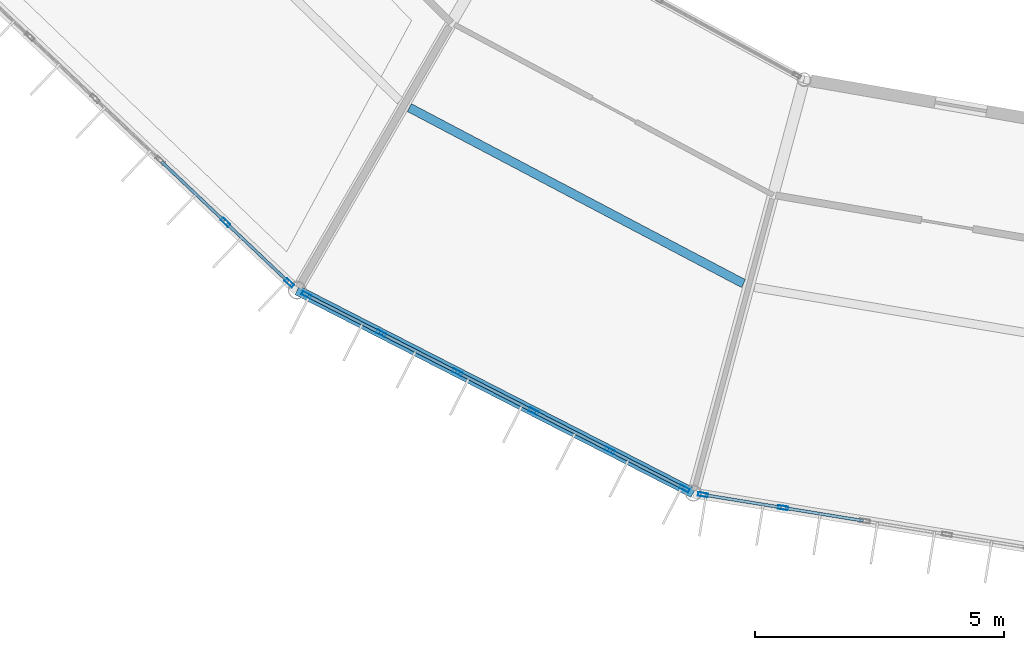
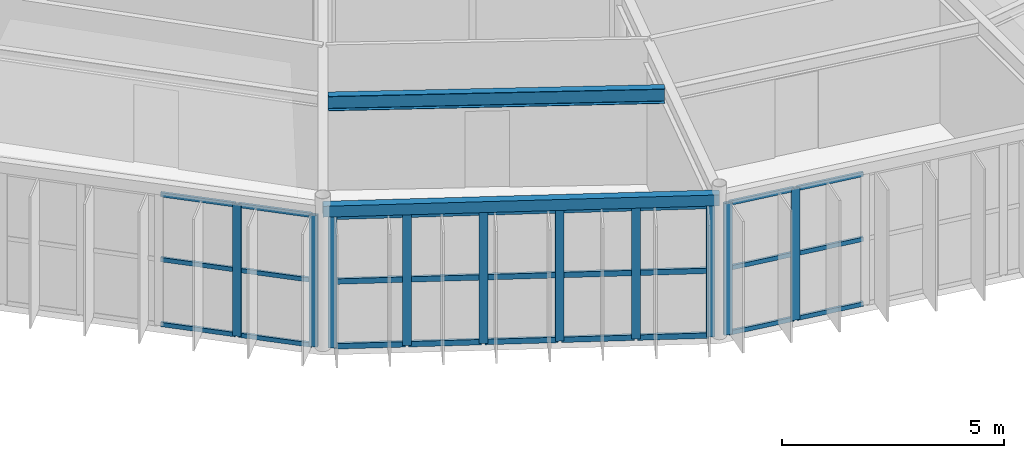
# One storey, part 24 of 147: 37 members, 2 beams, 3 elements without a shape of their own.
"""IFC4 building model written with IfcOpenShell, lengths in metres."""

from ifc_helpers import new_model, si_unit, direction, frame, origin, origin_2d, place, context, subcontext, project, spatial, hollow_rectangle, i_section, extrude, material, material_profile, profile_set, type_object, element, aggregate, save


model = new_model("IFC4")

# Units and contexts
model_context = context("Model", 3, precision=1e-05, world=origin(), true_north=direction((0.0, 1.0)))
body_context = subcontext(model_context, "Body", "Model", "MODEL_VIEW")
ifc_project = project(units=[si_unit("LENGTHUNIT", "METRE"), si_unit("AREAUNIT", "SQUARE_METRE"), si_unit("VOLUMEUNIT", "CUBIC_METRE"), si_unit("PLANEANGLEUNIT", "RADIAN"), si_unit("MASSUNIT", "GRAM", prefix="KILO")], contexts=[model_context])

# Site, building, storey
site_placement = place(None, origin())
site = spatial("IfcSite", under=ifc_project, at=site_placement, CompositionType="ELEMENT")
building_placement = place(site_placement, origin())
building = spatial("IfcBuilding", under=site, at=building_placement, Name="Karori Crest Natural Sciences Institute", CompositionType="ELEMENT")
storey_placement = place(building_placement, frame((0.0, 0.0, 9.10009765625)))
storey = spatial("IfcBuildingStorey", under=building, at=storey_placement, Name="L02", CompositionType="ELEMENT", Elevation=9.10009765625)

# Beams
ifc_material_1 = material(Name="Hollow structural steel AS/NZS 1163 Grade C350", Category="steel")
ifc_material_profile_1 = material_profile(ifc_material_1, hollow_rectangle(XDim=0.199951171875, YDim=0.300048828125, WallThickness=0.010009765625, at=origin_2d()), Name="RHS300x200x10")
ifc_profile_set_1 = profile_set([ifc_material_profile_1], Name="Hollow structural steel AS/NZS 1163 Grade C350")
beam_type_1 = type_object("IfcBeamType", Name="BT-15", PredefinedType="SPANDREL", material=ifc_profile_set_1)
beam_1_placement = place(storey_placement, frame((49.89990234375, 14.566162109375, 3.789794921875), z_axis=(0.890071733872, -0.455820478436, 0.0), x_axis=(0.455820478436, 0.890071733872, 0.0)))
element("IfcBeam", 1, at=beam_1_placement, inside=storey, type_object=beam_type_1, Name="Beam B-0330", PredefinedType="SPANDREL", context=body_context, shape_type="SweptSolid", body=[
    extrude(hollow_rectangle(XDim=0.199951171875, YDim=0.300048828125, WallThickness=0.010009765625, at=origin_2d()), origin(), (0.0, 0.0, 1.0), 8.94189453125),
])
ifc_material_2 = material(Name="Structural steel AS/NZS 3679.1 Grade 350", Category="steel")
ifc_material_profile_2 = material_profile(ifc_material_2, i_section(OverallWidth=0.177978515625, OverallDepth=0.403076171875, WebThickness=0.007568359375, FlangeThickness=0.010986328125, FilletRadius=0.010986328125, at=origin_2d()), Name="410UB53.7")
ifc_profile_set_2 = profile_set([ifc_material_profile_2], Name="Structural steel AS/NZS 3679.1 Grade 350")
beam_type_2 = type_object("IfcBeamType", Name="BT-29", PredefinedType="BEAM", material=ifc_profile_set_2)
beam_2_placement = place(storey_placement, frame((52.15625, 18.234130859375, 3.73828125), z_axis=(0.884748465601, -0.466068828197, 0.0), x_axis=(0.466068828197, 0.884748465601, 0.0)))
element("IfcBeam", 2, at=beam_2_placement, inside=storey, type_object=beam_type_2, Name="Beam B-0333", PredefinedType="BEAM", context=body_context, shape_type="SweptSolid", body=[
    extrude(i_section(OverallWidth=0.177978515625, OverallDepth=0.403076171875, WebThickness=0.007568359375, FlangeThickness=0.010986328125, FilletRadius=0.010986328125, at=origin_2d()), origin(), (0.0, 0.0, 1.0), 7.58349609375),
])

# Curtain wall, members
ifc_material_3 = material(Name="Anodised architectural aluminium 6063-T6", Category="aluminium")
curtain_wall_type_1 = type_object("IfcCurtainWallType", Name="CWT-06", PredefinedType="NOTDEFINED", material=ifc_material_3)
curtain_wall_1_placement = place(storey_placement, origin())
curtain_wall_1 = element("IfcCurtainWall", 3, at=curtain_wall_1_placement, inside=storey, type_object=curtain_wall_type_1, Name="Curtain wall CW-0087", PredefinedType="NOTDEFINED")
ifc_material_profile_3 = material_profile(ifc_material_3, hollow_rectangle(XDim=0.074951171875, YDim=0.199951171875, WallThickness=0.0048828125, at=origin_2d()), Name="CWM200x75x5")
ifc_profile_set_3 = profile_set([ifc_material_profile_3], Name="Anodised architectural aluminium 6063-T6")
member_type_1 = type_object("IfcMemberType", Name="CWM-02", PredefinedType="MULLION", material=ifc_profile_set_3)
member_1_placement = place(storey_placement, frame((49.745361328125, 14.712890625, 0.0), z_axis=(0.0, 0.0, 1.0), x_axis=(-0.688245939986, -0.725477446992, 0.0)))
member_1 = element("IfcMember", 4, at=member_1_placement, type_object=member_type_1, Name="CW-0087 mullion 1", PredefinedType="MULLION", context=body_context, shape_type="SweptSolid", body=[
    extrude(hollow_rectangle(XDim=0.074951171875, YDim=0.199951171875, WallThickness=0.0048828125, at=origin_2d()), origin(), (0.0, 0.0, 1.0), 3.625),
])
member_2_placement = place(storey_placement, frame((48.4619140625, 15.930419921875, 0.0), z_axis=(0.0, 0.0, 1.0), x_axis=(-0.688245939986, -0.725477446992, 0.0)))
member_2 = element("IfcMember", 5, at=member_2_placement, type_object=member_type_1, Name="CW-0087 mullion 2", PredefinedType="MULLION", context=body_context, shape_type="SweptSolid", body=[
    extrude(hollow_rectangle(XDim=0.074951171875, YDim=0.199951171875, WallThickness=0.0048828125, at=origin_2d()), origin(), (0.0, 0.0, 1.0), 3.625),
])

curtain_wall_type_2 = type_object("IfcCurtainWallType", Name="CWT-07", PredefinedType="NOTDEFINED", material=ifc_material_3)
curtain_wall_2_placement = place(storey_placement, origin())
curtain_wall_2 = element("IfcCurtainWall", 6, at=curtain_wall_2_placement, inside=storey, type_object=curtain_wall_type_2, Name="Curtain wall CW-0088", PredefinedType="NOTDEFINED")
member_3_placement = place(storey_placement, frame((57.68310546875, 10.580078125, 0.0), z_axis=(0.0, 0.0, 1.0), x_axis=(-0.455832988828, -0.890065326982, 0.0)))
member_3 = element("IfcMember", 7, at=member_3_placement, type_object=member_type_1, Name="CW-0088 mullion 1", PredefinedType="MULLION", context=body_context, shape_type="SweptSolid", body=[
    extrude(hollow_rectangle(XDim=0.074951171875, YDim=0.199951171875, WallThickness=0.0048828125, at=origin_2d()), origin(), (0.0, 0.0, 1.0), 3.625),
])
member_4_placement = place(storey_placement, frame((56.1845703125, 11.34765625, 0.0), z_axis=(0.0, 0.0, 1.0), x_axis=(-0.455832988828, -0.890065326982, 0.0)))
member_4 = element("IfcMember", 8, at=member_4_placement, type_object=member_type_1, Name="CW-0088 mullion 2", PredefinedType="MULLION", context=body_context, shape_type="SweptSolid", body=[
    extrude(hollow_rectangle(XDim=0.074951171875, YDim=0.199951171875, WallThickness=0.0048828125, at=origin_2d()), origin(), (0.0, 0.0, 1.0), 3.625),
])
member_5_placement = place(storey_placement, frame((54.652587890625, 12.13232421875, 0.0), z_axis=(0.0, 0.0, 1.0), x_axis=(-0.455832988828, -0.890065326982, 0.0)))
member_5 = element("IfcMember", 9, at=member_5_placement, type_object=member_type_1, Name="CW-0088 mullion 3", PredefinedType="MULLION", context=body_context, shape_type="SweptSolid", body=[
    extrude(hollow_rectangle(XDim=0.074951171875, YDim=0.199951171875, WallThickness=0.0048828125, at=origin_2d()), origin(), (0.0, 0.0, 1.0), 3.625),
])
member_6_placement = place(storey_placement, frame((53.12060546875, 12.9169921875, 0.0), z_axis=(0.0, 0.0, 1.0), x_axis=(-0.455832988828, -0.890065326982, 0.0)))
member_6 = element("IfcMember", 10, at=member_6_placement, type_object=member_type_1, Name="CW-0088 mullion 4", PredefinedType="MULLION", context=body_context, shape_type="SweptSolid", body=[
    extrude(hollow_rectangle(XDim=0.074951171875, YDim=0.199951171875, WallThickness=0.0048828125, at=origin_2d()), origin(), (0.0, 0.0, 1.0), 3.625),
])
member_7_placement = place(storey_placement, frame((51.588623046875, 13.701416015625, 0.0), z_axis=(0.0, 0.0, 1.0), x_axis=(-0.455832988828, -0.890065326982, 0.0)))
member_7 = element("IfcMember", 11, at=member_7_placement, type_object=member_type_1, Name="CW-0088 mullion 5", PredefinedType="MULLION", context=body_context, shape_type="SweptSolid", body=[
    extrude(hollow_rectangle(XDim=0.074951171875, YDim=0.199951171875, WallThickness=0.0048828125, at=origin_2d()), origin(), (0.0, 0.0, 1.0), 3.625),
])
member_8_placement = place(storey_placement, frame((50.08984375, 14.468994140625, 0.0), z_axis=(0.0, 0.0, 1.0), x_axis=(-0.455832988828, -0.890065326982, 0.0)))
member_8 = element("IfcMember", 12, at=member_8_placement, type_object=member_type_1, Name="CW-0088 mullion 6", PredefinedType="MULLION", context=body_context, shape_type="SweptSolid", body=[
    extrude(hollow_rectangle(XDim=0.074951171875, YDim=0.199951171875, WallThickness=0.0048828125, at=origin_2d()), origin(), (0.0, 0.0, 1.0), 3.625),
])

curtain_wall_type_3 = type_object("IfcCurtainWallType", Name="CWT-08", PredefinedType="NOTDEFINED", material=ifc_material_3)
curtain_wall_3_placement = place(storey_placement, origin())
curtain_wall_3 = element("IfcCurtainWall", 13, at=curtain_wall_3_placement, inside=storey, type_object=curtain_wall_type_3, Name="Curtain wall CW-0090", PredefinedType="NOTDEFINED")
member_9_placement = place(storey_placement, frame((59.662841796875, 10.196533203125, 0.0), z_axis=(0.0, 0.0, 1.0), x_axis=(-0.160651962718, -0.987011117908, 0.0)))
member_9 = element("IfcMember", 14, at=member_9_placement, type_object=member_type_1, Name="CW-0090 mullion 5", PredefinedType="MULLION", context=body_context, shape_type="SweptSolid", body=[
    extrude(hollow_rectangle(XDim=0.074951171875, YDim=0.199951171875, WallThickness=0.0048828125, at=origin_2d()), origin(), (0.0, 0.0, 1.0), 3.625),
])
member_10_placement = place(storey_placement, frame((58.053955078125, 10.45849609375, 0.0), z_axis=(0.0, 0.0, 1.0), x_axis=(-0.160651962718, -0.987011117908, 0.0)))
member_10 = element("IfcMember", 15, at=member_10_placement, type_object=member_type_1, Name="CW-0090 mullion 6", PredefinedType="MULLION", context=body_context, shape_type="SweptSolid", body=[
    extrude(hollow_rectangle(XDim=0.074951171875, YDim=0.199951171875, WallThickness=0.0048828125, at=origin_2d()), origin(), (0.0, 0.0, 1.0), 3.625),
])

# Member
ifc_material_profile_4 = material_profile(ifc_material_3, hollow_rectangle(XDim=0.06005859375, YDim=0.1201171875, WallThickness=0.00390625, at=origin_2d()), Name="CWT120x60x4")
ifc_profile_set_4 = profile_set([ifc_material_profile_4], Name="Anodised architectural aluminium 6063-T6")
member_type_2 = type_object("IfcMemberType", Name="CWT-TR1", PredefinedType="USERDEFINED", material=ifc_profile_set_4)
member_11_placement = place(storey_placement, frame((49.718017578125, 14.73876953125, 0.02978515625), z_axis=(-0.72545262833, 0.688272100299, 0.0), x_axis=(-0.688272100299, -0.72545262833, 0.0)))
member_11 = element("IfcMember", 16, at=member_11_placement, type_object=member_type_2, Name="CW-0087 transom 1.1", ObjectType="TRANSOM", PredefinedType="USERDEFINED", context=body_context, shape_type="SweptSolid", body=[
    extrude(hollow_rectangle(XDim=0.06005859375, YDim=0.1201171875, WallThickness=0.00390625, at=origin_2d()), origin(), (0.0, 0.0, 1.0), 1.694091796875),
])

member_12_placement = place(storey_placement, frame((49.718017578125, 14.73876953125, 1.8125), z_axis=(-0.72545262833, 0.688272100299, 0.0), x_axis=(-0.688272100299, -0.72545262833, 0.0)))
member_12 = element("IfcMember", 17, at=member_12_placement, type_object=member_type_2, Name="CW-0087 transom 1.2", ObjectType="TRANSOM", PredefinedType="USERDEFINED", context=body_context, shape_type="SweptSolid", body=[
    extrude(hollow_rectangle(XDim=0.06005859375, YDim=0.1201171875, WallThickness=0.00390625, at=origin_2d()), origin(), (0.0, 0.0, 1.0), 1.694091796875),
])

member_13_placement = place(storey_placement, frame((49.718017578125, 14.73876953125, 3.594970703125), z_axis=(-0.72545262833, 0.688272100299, 0.0), x_axis=(-0.688272100299, -0.72545262833, 0.0)))
member_13 = element("IfcMember", 18, at=member_13_placement, type_object=member_type_2, Name="CW-0087 transom 1.3", ObjectType="TRANSOM", PredefinedType="USERDEFINED", context=body_context, shape_type="SweptSolid", body=[
    extrude(hollow_rectangle(XDim=0.06005859375, YDim=0.1201171875, WallThickness=0.00390625, at=origin_2d()), origin(), (0.0, 0.0, 1.0), 1.694091796875),
])

member_14_placement = place(storey_placement, frame((48.434814453125, 15.956298828125, 0.02978515625), z_axis=(-0.725541312299, 0.68817861355, 0.0), x_axis=(-0.68817861355, -0.725541312299, 0.0)))
member_14 = element("IfcMember", 19, at=member_14_placement, type_object=member_type_2, Name="CW-0087 transom 2.1", ObjectType="TRANSOM", PredefinedType="USERDEFINED", context=body_context, shape_type="SweptSolid", body=[
    extrude(hollow_rectangle(XDim=0.06005859375, YDim=0.1201171875, WallThickness=0.00390625, at=origin_2d()), origin(), (0.0, 0.0, 1.0), 1.731689453125),
])

member_15_placement = place(storey_placement, frame((48.434814453125, 15.956298828125, 1.8125), z_axis=(-0.725541312299, 0.68817861355, 0.0), x_axis=(-0.68817861355, -0.725541312299, 0.0)))
member_15 = element("IfcMember", 20, at=member_15_placement, type_object=member_type_2, Name="CW-0087 transom 2.2", ObjectType="TRANSOM", PredefinedType="USERDEFINED", context=body_context, shape_type="SweptSolid", body=[
    extrude(hollow_rectangle(XDim=0.06005859375, YDim=0.1201171875, WallThickness=0.00390625, at=origin_2d()), origin(), (0.0, 0.0, 1.0), 1.731689453125),
])

member_16_placement = place(storey_placement, frame((48.434814453125, 15.956298828125, 3.594970703125), z_axis=(-0.725541312299, 0.68817861355, 0.0), x_axis=(-0.68817861355, -0.725541312299, 0.0)))
member_16 = element("IfcMember", 21, at=member_16_placement, type_object=member_type_2, Name="CW-0087 transom 2.3", ObjectType="TRANSOM", PredefinedType="USERDEFINED", context=body_context, shape_type="SweptSolid", body=[
    extrude(hollow_rectangle(XDim=0.06005859375, YDim=0.1201171875, WallThickness=0.00390625, at=origin_2d()), origin(), (0.0, 0.0, 1.0), 1.731689453125),
])

aggregate(curtain_wall_1, [member_1, member_2, member_11, member_12, member_13, member_14, member_15, member_16])

member_17_placement = place(storey_placement, frame((61.271728515625, 9.934814453125, 0.02978515625), z_axis=(-0.987008400747, 0.16066865548, 0.0), x_axis=(-0.16066865548, -0.987008400747, 0.0)))
member_17 = element("IfcMember", 22, at=member_17_placement, type_object=member_type_2, Name="CW-0090 transom 4.1", ObjectType="TRANSOM", PredefinedType="USERDEFINED", context=body_context, shape_type="SweptSolid", body=[
    extrude(hollow_rectangle(XDim=0.06005859375, YDim=0.1201171875, WallThickness=0.00390625, at=origin_2d()), origin(), (0.0, 0.0, 1.0), 1.592529296875),
])

member_18_placement = place(storey_placement, frame((61.271728515625, 9.934814453125, 1.8125), z_axis=(-0.987008400747, 0.16066865548, 0.0), x_axis=(-0.16066865548, -0.987008400747, 0.0)))
member_18 = element("IfcMember", 23, at=member_18_placement, type_object=member_type_2, Name="CW-0090 transom 4.2", ObjectType="TRANSOM", PredefinedType="USERDEFINED", context=body_context, shape_type="SweptSolid", body=[
    extrude(hollow_rectangle(XDim=0.06005859375, YDim=0.1201171875, WallThickness=0.00390625, at=origin_2d()), origin(), (0.0, 0.0, 1.0), 1.592529296875),
])

member_19_placement = place(storey_placement, frame((61.271728515625, 9.934814453125, 3.594970703125), z_axis=(-0.987008400747, 0.16066865548, 0.0), x_axis=(-0.16066865548, -0.987008400747, 0.0)))
member_19 = element("IfcMember", 24, at=member_19_placement, type_object=member_type_2, Name="CW-0090 transom 4.3", ObjectType="TRANSOM", PredefinedType="USERDEFINED", context=body_context, shape_type="SweptSolid", body=[
    extrude(hollow_rectangle(XDim=0.06005859375, YDim=0.1201171875, WallThickness=0.00390625, at=origin_2d()), origin(), (0.0, 0.0, 1.0), 1.592529296875),
])

member_20_placement = place(storey_placement, frame((59.625732421875, 10.20263671875, 0.02978515625), z_axis=(-0.987018847507, 0.160604466518, 0.0), x_axis=(-0.160604466518, -0.987018847507, 0.0)))
member_20 = element("IfcMember", 25, at=member_20_placement, type_object=member_type_2, Name="CW-0090 transom 5.1", ObjectType="TRANSOM", PredefinedType="USERDEFINED", context=body_context, shape_type="SweptSolid", body=[
    extrude(hollow_rectangle(XDim=0.06005859375, YDim=0.1201171875, WallThickness=0.00390625, at=origin_2d()), origin(), (0.0, 0.0, 1.0), 1.55517578125),
])

member_21_placement = place(storey_placement, frame((59.625732421875, 10.20263671875, 1.8125), z_axis=(-0.987018847507, 0.160604466518, 0.0), x_axis=(-0.160604466518, -0.987018847507, 0.0)))
member_21 = element("IfcMember", 26, at=member_21_placement, type_object=member_type_2, Name="CW-0090 transom 5.2", ObjectType="TRANSOM", PredefinedType="USERDEFINED", context=body_context, shape_type="SweptSolid", body=[
    extrude(hollow_rectangle(XDim=0.06005859375, YDim=0.1201171875, WallThickness=0.00390625, at=origin_2d()), origin(), (0.0, 0.0, 1.0), 1.55517578125),
])

member_22_placement = place(storey_placement, frame((59.625732421875, 10.20263671875, 3.594970703125), z_axis=(-0.987018847507, 0.160604466518, 0.0), x_axis=(-0.160604466518, -0.987018847507, 0.0)))
member_22 = element("IfcMember", 27, at=member_22_placement, type_object=member_type_2, Name="CW-0090 transom 5.3", ObjectType="TRANSOM", PredefinedType="USERDEFINED", context=body_context, shape_type="SweptSolid", body=[
    extrude(hollow_rectangle(XDim=0.06005859375, YDim=0.1201171875, WallThickness=0.00390625, at=origin_2d()), origin(), (0.0, 0.0, 1.0), 1.55517578125),
])

aggregate(curtain_wall_3, [member_9, member_10, member_17, member_18, member_19, member_20, member_21, member_22])

ifc_material_profile_5 = material_profile(ifc_material_3, hollow_rectangle(XDim=0.06494140625, YDim=0.14990234375, WallThickness=0.00390625, at=origin_2d()), Name="CWT150x65x4")
ifc_profile_set_5 = profile_set([ifc_material_profile_5], Name="Anodised architectural aluminium 6063-T6")
member_type_3 = type_object("IfcMemberType", Name="CWT-TR2", PredefinedType="USERDEFINED", material=ifc_profile_set_5)
member_23_placement = place(storey_placement, frame((57.64990234375, 10.59716796875, 0.032470703125), z_axis=(-0.890044866674, 0.455872937679, 0.0), x_axis=(-0.455872937679, -0.890044866674, 0.0)))
member_23 = element("IfcMember", 28, at=member_23_placement, type_object=member_type_3, Name="CW-0088 transom 1.1", ObjectType="TRANSOM", PredefinedType="USERDEFINED", context=body_context, shape_type="SweptSolid", body=[
    extrude(hollow_rectangle(XDim=0.06494140625, YDim=0.14990234375, WallThickness=0.00390625, at=origin_2d()), origin(), (0.0, 0.0, 1.0), 1.60888671875),
])

member_24_placement = place(storey_placement, frame((57.64990234375, 10.59716796875, 1.8125), z_axis=(-0.890044866674, 0.455872937679, 0.0), x_axis=(-0.455872937679, -0.890044866674, 0.0)))
member_24 = element("IfcMember", 29, at=member_24_placement, type_object=member_type_3, Name="CW-0088 transom 1.2", ObjectType="TRANSOM", PredefinedType="USERDEFINED", context=body_context, shape_type="SweptSolid", body=[
    extrude(hollow_rectangle(XDim=0.06494140625, YDim=0.14990234375, WallThickness=0.00390625, at=origin_2d()), origin(), (0.0, 0.0, 1.0), 1.60888671875),
])

member_25_placement = place(storey_placement, frame((57.64990234375, 10.59716796875, 3.59228515625), z_axis=(-0.890044866674, 0.455872937679, 0.0), x_axis=(-0.455872937679, -0.890044866674, 0.0)))
member_25 = element("IfcMember", 30, at=member_25_placement, type_object=member_type_3, Name="CW-0088 transom 1.3", ObjectType="TRANSOM", PredefinedType="USERDEFINED", context=body_context, shape_type="SweptSolid", body=[
    extrude(hollow_rectangle(XDim=0.06494140625, YDim=0.14990234375, WallThickness=0.00390625, at=origin_2d()), origin(), (0.0, 0.0, 1.0), 1.60888671875),
])

member_26_placement = place(storey_placement, frame((56.151123046875, 11.36474609375, 0.032470703125), z_axis=(-0.890024283327, 0.455913122304, 0.0), x_axis=(-0.455913122304, -0.890024283327, 0.0)))
member_26 = element("IfcMember", 31, at=member_26_placement, type_object=member_type_3, Name="CW-0088 transom 2.1", ObjectType="TRANSOM", PredefinedType="USERDEFINED", context=body_context, shape_type="SweptSolid", body=[
    extrude(hollow_rectangle(XDim=0.06494140625, YDim=0.14990234375, WallThickness=0.00390625, at=origin_2d()), origin(), (0.0, 0.0, 1.0), 1.646240234375),
])

member_27_placement = place(storey_placement, frame((56.151123046875, 11.36474609375, 1.8125), z_axis=(-0.890024283327, 0.455913122304, 0.0), x_axis=(-0.455913122304, -0.890024283327, 0.0)))
member_27 = element("IfcMember", 32, at=member_27_placement, type_object=member_type_3, Name="CW-0088 transom 2.2", ObjectType="TRANSOM", PredefinedType="USERDEFINED", context=body_context, shape_type="SweptSolid", body=[
    extrude(hollow_rectangle(XDim=0.06494140625, YDim=0.14990234375, WallThickness=0.00390625, at=origin_2d()), origin(), (0.0, 0.0, 1.0), 1.646240234375),
])

member_28_placement = place(storey_placement, frame((56.151123046875, 11.36474609375, 3.59228515625), z_axis=(-0.890024283327, 0.455913122304, 0.0), x_axis=(-0.455913122304, -0.890024283327, 0.0)))
member_28 = element("IfcMember", 33, at=member_28_placement, type_object=member_type_3, Name="CW-0088 transom 2.3", ObjectType="TRANSOM", PredefinedType="USERDEFINED", context=body_context, shape_type="SweptSolid", body=[
    extrude(hollow_rectangle(XDim=0.06494140625, YDim=0.14990234375, WallThickness=0.00390625, at=origin_2d()), origin(), (0.0, 0.0, 1.0), 1.646240234375),
])

member_29_placement = place(storey_placement, frame((54.619140625, 12.1494140625, 0.032470703125), z_axis=(-0.890055105015, 0.45585294782, 0.0), x_axis=(-0.45585294782, -0.890055105015, 0.0)))
member_29 = element("IfcMember", 34, at=member_29_placement, type_object=member_type_3, Name="CW-0088 transom 3.1", ObjectType="TRANSOM", PredefinedType="USERDEFINED", context=body_context, shape_type="SweptSolid", body=[
    extrude(hollow_rectangle(XDim=0.06494140625, YDim=0.14990234375, WallThickness=0.00390625, at=origin_2d()), origin(), (0.0, 0.0, 1.0), 1.646240234375),
])

member_30_placement = place(storey_placement, frame((54.619140625, 12.1494140625, 1.8125), z_axis=(-0.890055105015, 0.45585294782, 0.0), x_axis=(-0.45585294782, -0.890055105015, 0.0)))
member_30 = element("IfcMember", 35, at=member_30_placement, type_object=member_type_3, Name="CW-0088 transom 3.2", ObjectType="TRANSOM", PredefinedType="USERDEFINED", context=body_context, shape_type="SweptSolid", body=[
    extrude(hollow_rectangle(XDim=0.06494140625, YDim=0.14990234375, WallThickness=0.00390625, at=origin_2d()), origin(), (0.0, 0.0, 1.0), 1.646240234375),
])

member_31_placement = place(storey_placement, frame((54.619140625, 12.1494140625, 3.59228515625), z_axis=(-0.890055105015, 0.45585294782, 0.0), x_axis=(-0.45585294782, -0.890055105015, 0.0)))
member_31 = element("IfcMember", 36, at=member_31_placement, type_object=member_type_3, Name="CW-0088 transom 3.3", ObjectType="TRANSOM", PredefinedType="USERDEFINED", context=body_context, shape_type="SweptSolid", body=[
    extrude(hollow_rectangle(XDim=0.06494140625, YDim=0.14990234375, WallThickness=0.00390625, at=origin_2d()), origin(), (0.0, 0.0, 1.0), 1.646240234375),
])

member_32_placement = place(storey_placement, frame((53.087158203125, 12.93408203125, 0.032470703125), z_axis=(-0.890115268912, 0.455735458408, 0.0), x_axis=(-0.455735458408, -0.890115268912, 0.0)))
member_32 = element("IfcMember", 37, at=member_32_placement, type_object=member_type_3, Name="CW-0088 transom 4.1", ObjectType="TRANSOM", PredefinedType="USERDEFINED", context=body_context, shape_type="SweptSolid", body=[
    extrude(hollow_rectangle(XDim=0.06494140625, YDim=0.14990234375, WallThickness=0.00390625, at=origin_2d()), origin(), (0.0, 0.0, 1.0), 1.646240234375),
])

member_33_placement = place(storey_placement, frame((53.087158203125, 12.93408203125, 1.8125), z_axis=(-0.890115268912, 0.455735458408, 0.0), x_axis=(-0.455735458408, -0.890115268912, 0.0)))
member_33 = element("IfcMember", 38, at=member_33_placement, type_object=member_type_3, Name="CW-0088 transom 4.2", ObjectType="TRANSOM", PredefinedType="USERDEFINED", context=body_context, shape_type="SweptSolid", body=[
    extrude(hollow_rectangle(XDim=0.06494140625, YDim=0.14990234375, WallThickness=0.00390625, at=origin_2d()), origin(), (0.0, 0.0, 1.0), 1.646240234375),
])

member_34_placement = place(storey_placement, frame((53.087158203125, 12.93408203125, 3.59228515625), z_axis=(-0.890115268912, 0.455735458408, 0.0), x_axis=(-0.455735458408, -0.890115268912, 0.0)))
member_34 = element("IfcMember", 39, at=member_34_placement, type_object=member_type_3, Name="CW-0088 transom 4.3", ObjectType="TRANSOM", PredefinedType="USERDEFINED", context=body_context, shape_type="SweptSolid", body=[
    extrude(hollow_rectangle(XDim=0.06494140625, YDim=0.14990234375, WallThickness=0.00390625, at=origin_2d()), origin(), (0.0, 0.0, 1.0), 1.646240234375),
])

member_35_placement = place(storey_placement, frame((51.55517578125, 13.718505859375, 0.032470703125), z_axis=(-0.890044866674, 0.455872937679, 0.0), x_axis=(-0.455872937679, -0.890044866674, 0.0)))
member_35 = element("IfcMember", 40, at=member_35_placement, type_object=member_type_3, Name="CW-0088 transom 5.1", ObjectType="TRANSOM", PredefinedType="USERDEFINED", context=body_context, shape_type="SweptSolid", body=[
    extrude(hollow_rectangle(XDim=0.06494140625, YDim=0.14990234375, WallThickness=0.00390625, at=origin_2d()), origin(), (0.0, 0.0, 1.0), 1.60888671875),
])

member_36_placement = place(storey_placement, frame((51.55517578125, 13.718505859375, 1.8125), z_axis=(-0.890044866674, 0.455872937679, 0.0), x_axis=(-0.455872937679, -0.890044866674, 0.0)))
member_36 = element("IfcMember", 41, at=member_36_placement, type_object=member_type_3, Name="CW-0088 transom 5.2", ObjectType="TRANSOM", PredefinedType="USERDEFINED", context=body_context, shape_type="SweptSolid", body=[
    extrude(hollow_rectangle(XDim=0.06494140625, YDim=0.14990234375, WallThickness=0.00390625, at=origin_2d()), origin(), (0.0, 0.0, 1.0), 1.60888671875),
])

member_37_placement = place(storey_placement, frame((51.55517578125, 13.718505859375, 3.59228515625), z_axis=(-0.890044866674, 0.455872937679, 0.0), x_axis=(-0.455872937679, -0.890044866674, 0.0)))
member_37 = element("IfcMember", 42, at=member_37_placement, type_object=member_type_3, Name="CW-0088 transom 5.3", ObjectType="TRANSOM", PredefinedType="USERDEFINED", context=body_context, shape_type="SweptSolid", body=[
    extrude(hollow_rectangle(XDim=0.06494140625, YDim=0.14990234375, WallThickness=0.00390625, at=origin_2d()), origin(), (0.0, 0.0, 1.0), 1.60888671875),
])

aggregate(curtain_wall_2, [member_3, member_4, member_5, member_6, member_7, member_8, member_23, member_24, member_25, member_26, member_27, member_28, member_29, member_30, member_31, member_32, member_33, member_34, member_35, member_36, member_37])

save(model, "model.ifc")
